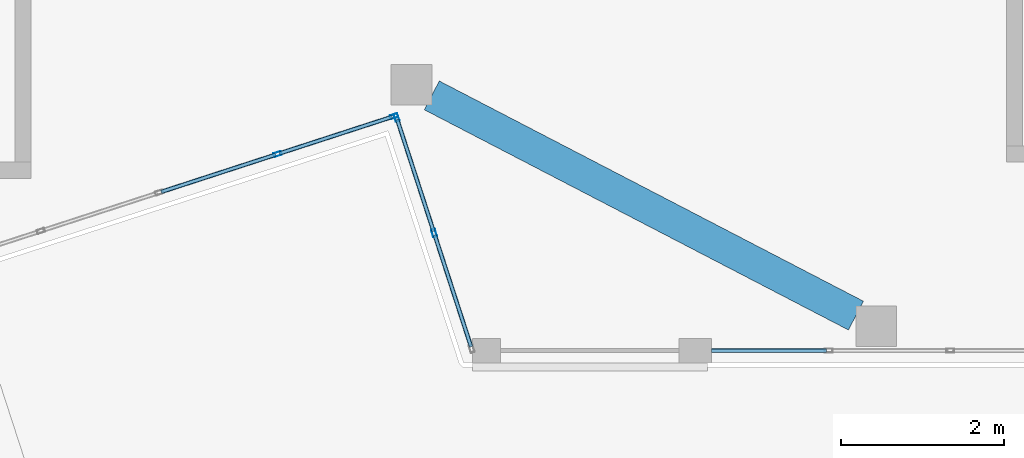
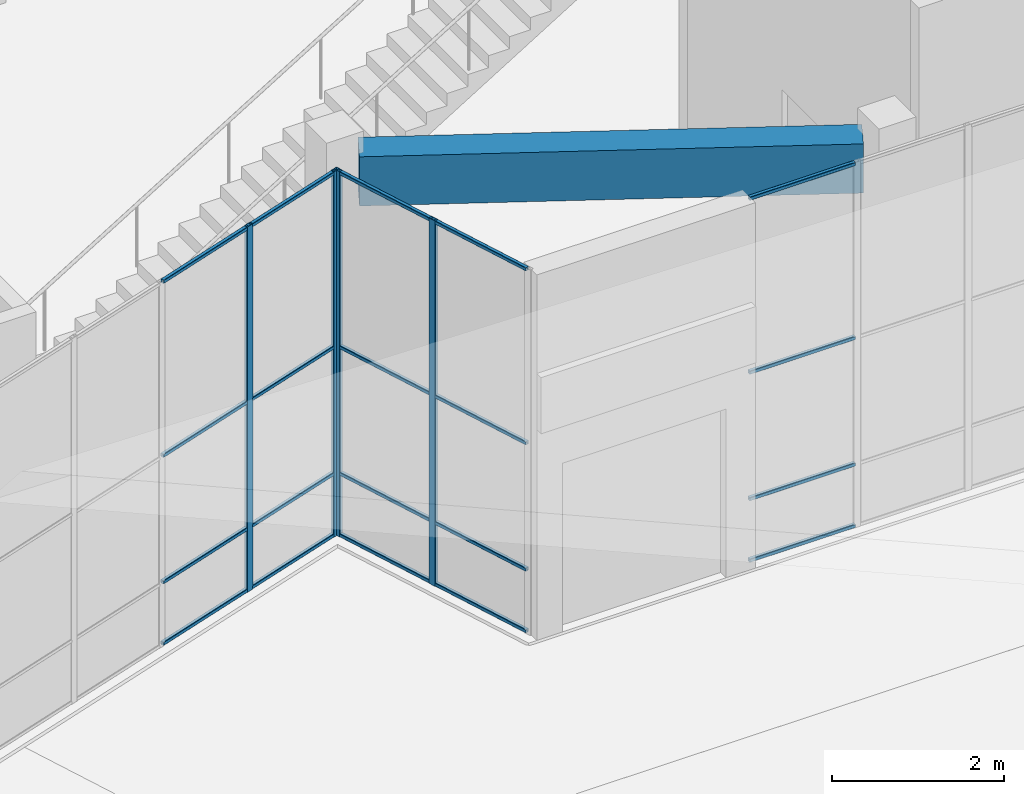
# One storey, part 10 of 72: 24 members, 1 beam, 3 elements without a shape of their own.
"""IFC4 building model written with IfcOpenShell, lengths in metres."""

from ifc_helpers import new_model, si_unit, direction, frame, origin, origin_2d, place, context, subcontext, project, spatial, rectangle, hollow_rectangle, extrude, material, layer, layer_set, material_profile, profile_set, type_object, element, aggregate, save


model = new_model("IFC4")

# Units and contexts
model_context = context("Model", 3, precision=1e-05, world=origin(), true_north=direction((0.0, 1.0)))
body_context = subcontext(model_context, "Body", "Model", "MODEL_VIEW")
ifc_project = project(units=[si_unit("LENGTHUNIT", "METRE"), si_unit("AREAUNIT", "SQUARE_METRE"), si_unit("VOLUMEUNIT", "CUBIC_METRE"), si_unit("PLANEANGLEUNIT", "RADIAN"), si_unit("MASSUNIT", "GRAM", prefix="KILO")], contexts=[model_context])

# Site, building, storey
site_placement = place(None, origin())
site = spatial("IfcSite", under=ifc_project, at=site_placement, CompositionType="ELEMENT")
building_placement = place(site_placement, origin())
building = spatial("IfcBuilding", under=site, at=building_placement, Name="Tuart Plaza Theatre", CompositionType="ELEMENT")
storey_placement = place(building_placement, origin())
storey = spatial("IfcBuildingStorey", under=building, at=storey_placement, Name="L00", CompositionType="ELEMENT", Elevation=0.0)

# Beam
ifc_material_1 = material(Name="Concrete N40 (40 MPa)", Category="concrete")
ifc_material_profile_1 = material_profile(ifc_material_1, rectangle(XDim=0.39990234375, YDim=0.699951171875, at=origin_2d()), Name="BEAM 400x700 Concrete N40 (40 MPa)")
ifc_profile_set_1 = profile_set([ifc_material_profile_1], Name="Concrete N40 (40 MPa)")
beam_type = type_object("IfcBeamType", Name="BEAM 400x700 Concrete N40 (40 MPa)", PredefinedType="BEAM", material=ifc_profile_set_1)
beam_placement = place(storey_placement, frame((99.949951171875, 41.909912109375, 4.85009765625), z_axis=(-0.887507502734, 0.46079326448, 0.0), x_axis=(-0.46079326448, -0.887507502734, 0.0)))
element("IfcBeam", 1, at=beam_placement, inside=storey, type_object=beam_type, Name="RB448", PredefinedType="BEAM", context=body_context, shape_type="SweptSolid", body=[
    extrude(rectangle(XDim=0.39990234375, YDim=0.699951171875, at=origin_2d()), origin(), (0.0, 0.0, 1.0), 5.881591796875),
])

# Curtain wall, members
ifc_material_2 = material(Name="Aluminium and glass", Category="aluminium")
ifc_layer = layer(ifc_material_2, 0.10009765625)
ifc_layer_set = layer_set([ifc_layer], Name="CURTAIN WALL 1500 module")
curtain_wall_type = type_object("IfcCurtainWallType", Name="CURTAIN WALL 1500 module", PredefinedType="NOTDEFINED", material=ifc_layer_set)
curtain_wall_1_placement = place(storey_placement, origin())
curtain_wall_1 = element("IfcCurtainWall", 2, at=curtain_wall_1_placement, inside=storey, type_object=curtain_wall_type, Name="CW4", PredefinedType="NOTDEFINED")
ifc_material_3 = material(Name="Aluminium 6063-T5", Category="aluminium")
ifc_material_profile_2 = material_profile(ifc_material_3, hollow_rectangle(XDim=0.050048828125, YDim=0.10009765625, WallThickness=0.00390625, InnerFilletRadius=0.00390625, OuterFilletRadius=0.008056640625, at=origin_2d()), Name="RHS 100x50x4")
ifc_profile_set_2 = profile_set([ifc_material_profile_2], Name="Aluminium 6063-T5")
member_type_1 = type_object("IfcMemberType", Name="MULLION RHS 100x50x4", PredefinedType="MULLION", material=ifc_profile_set_2)
member_1_placement = place(storey_placement, frame((92.832763671875, 43.897705078125, 0.0), z_axis=(0.0, 0.0, 1.0), x_axis=(-0.309018232632, 0.95105611396, 0.0)))
member_1 = element("IfcMember", 3, at=member_1_placement, type_object=member_type_1, Name="CW4 mullion 4", PredefinedType="MULLION", context=body_context, shape_type="SweptSolid", body=[
    extrude(hollow_rectangle(XDim=0.050048828125, YDim=0.10009765625, WallThickness=0.00390625, InnerFilletRadius=0.00390625, OuterFilletRadius=0.008056640625, at=origin_2d()), origin(), (0.0, 0.0, 1.0), 5.199951171875),
])
member_2_placement = place(storey_placement, frame((94.265625, 44.36328125, 0.0), z_axis=(0.0, 0.0, 1.0), x_axis=(-0.309018232632, 0.95105611396, 0.0)))
member_2 = element("IfcMember", 4, at=member_2_placement, type_object=member_type_1, Name="CW4 mullion 5", PredefinedType="MULLION", context=body_context, shape_type="SweptSolid", body=[
    extrude(hollow_rectangle(XDim=0.050048828125, YDim=0.10009765625, WallThickness=0.00390625, InnerFilletRadius=0.00390625, OuterFilletRadius=0.008056640625, at=origin_2d()), origin(), (0.0, 0.0, 1.0), 5.199951171875),
])

curtain_wall_2_placement = place(storey_placement, origin())
curtain_wall_2 = element("IfcCurtainWall", 5, at=curtain_wall_2_placement, inside=storey, type_object=curtain_wall_type, Name="CW5", PredefinedType="NOTDEFINED")
member_3_placement = place(storey_placement, frame((94.297119140625, 44.34716796875, 0.0), z_axis=(0.0, 0.0, 1.0), x_axis=(0.951056113949, 0.309018232665, 0.0)))
member_3 = element("IfcMember", 6, at=member_3_placement, type_object=member_type_1, Name="CW5 mullion 1", PredefinedType="MULLION", context=body_context, shape_type="SweptSolid", body=[
    extrude(hollow_rectangle(XDim=0.050048828125, YDim=0.10009765625, WallThickness=0.00390625, InnerFilletRadius=0.00390625, OuterFilletRadius=0.008056640625, at=origin_2d()), origin(), (0.0, 0.0, 1.0), 5.199951171875),
])
member_4_placement = place(storey_placement, frame((94.759033203125, 42.925048828125, 0.0), z_axis=(0.0, 0.0, 1.0), x_axis=(0.951056113949, 0.309018232665, 0.0)))
member_4 = element("IfcMember", 7, at=member_4_placement, type_object=member_type_1, Name="CW5 mullion 2", PredefinedType="MULLION", context=body_context, shape_type="SweptSolid", body=[
    extrude(hollow_rectangle(XDim=0.050048828125, YDim=0.10009765625, WallThickness=0.00390625, InnerFilletRadius=0.00390625, OuterFilletRadius=0.008056640625, at=origin_2d()), origin(), (0.0, 0.0, 1.0), 5.199951171875),
])

# Member
ifc_material_4 = material(Name="Aluminium 6063-T5", Category="aluminium")
ifc_material_profile_3 = material_profile(ifc_material_4, hollow_rectangle(XDim=0.050048828125, YDim=0.050048828125, WallThickness=0.00390625, InnerFilletRadius=0.00390625, OuterFilletRadius=0.008056640625, at=origin_2d()), Name="RHS 50x50x4")
ifc_profile_set_3 = profile_set([ifc_material_profile_3], Name="Aluminium 6063-T5")
member_type_2 = type_object("IfcMemberType", Name="TRANSOM RHS 50x50x4", PredefinedType="USERDEFINED", material=ifc_profile_set_3)
member_5_placement = place(storey_placement, frame((91.400146484375, 43.43212890625, 0.02490234375), z_axis=(0.951013479291, 0.309149417285, 0.0), x_axis=(-0.309149417285, 0.951013479291, 0.0)))
member_5 = element("IfcMember", 8, at=member_5_placement, type_object=member_type_2, Name="CW4 transom 3.1", ObjectType="TRANSOM", PredefinedType="USERDEFINED", context=body_context, shape_type="SweptSolid", body=[
    extrude(hollow_rectangle(XDim=0.050048828125, YDim=0.050048828125, WallThickness=0.00390625, InnerFilletRadius=0.00390625, OuterFilletRadius=0.008056640625, at=origin_2d()), origin(), (0.0, 0.0, 1.0), 1.4814453125),
])

member_6_placement = place(storey_placement, frame((91.400146484375, 43.43212890625, 0.89990234375), z_axis=(0.951013479291, 0.309149417285, 0.0), x_axis=(-0.309149417285, 0.951013479291, 0.0)))
member_6 = element("IfcMember", 9, at=member_6_placement, type_object=member_type_2, Name="CW4 transom 3.2", ObjectType="TRANSOM", PredefinedType="USERDEFINED", context=body_context, shape_type="SweptSolid", body=[
    extrude(hollow_rectangle(XDim=0.050048828125, YDim=0.050048828125, WallThickness=0.00390625, InnerFilletRadius=0.00390625, OuterFilletRadius=0.008056640625, at=origin_2d()), origin(), (0.0, 0.0, 1.0), 1.4814453125),
])

member_7_placement = place(storey_placement, frame((91.400146484375, 43.43212890625, 2.699951171875), z_axis=(0.951013479291, 0.309149417285, 0.0), x_axis=(-0.309149417285, 0.951013479291, 0.0)))
member_7 = element("IfcMember", 10, at=member_7_placement, type_object=member_type_2, Name="CW4 transom 3.3", ObjectType="TRANSOM", PredefinedType="USERDEFINED", context=body_context, shape_type="SweptSolid", body=[
    extrude(hollow_rectangle(XDim=0.050048828125, YDim=0.050048828125, WallThickness=0.00390625, InnerFilletRadius=0.00390625, OuterFilletRadius=0.008056640625, at=origin_2d()), origin(), (0.0, 0.0, 1.0), 1.4814453125),
])

member_8_placement = place(storey_placement, frame((91.400146484375, 43.43212890625, 5.175048828125), z_axis=(0.951013479291, 0.309149417285, 0.0), x_axis=(-0.309149417285, 0.951013479291, 0.0)))
member_8 = element("IfcMember", 11, at=member_8_placement, type_object=member_type_2, Name="CW4 transom 3.4", ObjectType="TRANSOM", PredefinedType="USERDEFINED", context=body_context, shape_type="SweptSolid", body=[
    extrude(hollow_rectangle(XDim=0.050048828125, YDim=0.050048828125, WallThickness=0.00390625, InnerFilletRadius=0.00390625, OuterFilletRadius=0.008056640625, at=origin_2d()), origin(), (0.0, 0.0, 1.0), 1.4814453125),
])

member_9_placement = place(storey_placement, frame((92.8564453125, 43.905517578125, 0.02490234375), z_axis=(0.951085791685, 0.308926879463, 0.0), x_axis=(-0.308926879463, 0.951085791685, 0.0)))
member_9 = element("IfcMember", 12, at=member_9_placement, type_object=member_type_2, Name="CW4 transom 4.1", ObjectType="TRANSOM", PredefinedType="USERDEFINED", context=body_context, shape_type="SweptSolid", body=[
    extrude(hollow_rectangle(XDim=0.050048828125, YDim=0.050048828125, WallThickness=0.00390625, InnerFilletRadius=0.00390625, OuterFilletRadius=0.008056640625, at=origin_2d()), origin(), (0.0, 0.0, 1.0), 1.45654296875),
])

member_10_placement = place(storey_placement, frame((92.8564453125, 43.905517578125, 0.89990234375), z_axis=(0.951085791685, 0.308926879463, 0.0), x_axis=(-0.308926879463, 0.951085791685, 0.0)))
member_10 = element("IfcMember", 13, at=member_10_placement, type_object=member_type_2, Name="CW4 transom 4.2", ObjectType="TRANSOM", PredefinedType="USERDEFINED", context=body_context, shape_type="SweptSolid", body=[
    extrude(hollow_rectangle(XDim=0.050048828125, YDim=0.050048828125, WallThickness=0.00390625, InnerFilletRadius=0.00390625, OuterFilletRadius=0.008056640625, at=origin_2d()), origin(), (0.0, 0.0, 1.0), 1.45654296875),
])

member_11_placement = place(storey_placement, frame((92.8564453125, 43.905517578125, 2.699951171875), z_axis=(0.951085791685, 0.308926879463, 0.0), x_axis=(-0.308926879463, 0.951085791685, 0.0)))
member_11 = element("IfcMember", 14, at=member_11_placement, type_object=member_type_2, Name="CW4 transom 4.3", ObjectType="TRANSOM", PredefinedType="USERDEFINED", context=body_context, shape_type="SweptSolid", body=[
    extrude(hollow_rectangle(XDim=0.050048828125, YDim=0.050048828125, WallThickness=0.00390625, InnerFilletRadius=0.00390625, OuterFilletRadius=0.008056640625, at=origin_2d()), origin(), (0.0, 0.0, 1.0), 1.45654296875),
])

member_12_placement = place(storey_placement, frame((92.8564453125, 43.905517578125, 5.175048828125), z_axis=(0.951085791685, 0.308926879463, 0.0), x_axis=(-0.308926879463, 0.951085791685, 0.0)))
member_12 = element("IfcMember", 15, at=member_12_placement, type_object=member_type_2, Name="CW4 transom 4.4", ObjectType="TRANSOM", PredefinedType="USERDEFINED", context=body_context, shape_type="SweptSolid", body=[
    extrude(hollow_rectangle(XDim=0.050048828125, YDim=0.050048828125, WallThickness=0.00390625, InnerFilletRadius=0.00390625, OuterFilletRadius=0.008056640625, at=origin_2d()), origin(), (0.0, 0.0, 1.0), 1.45654296875),
])

aggregate(curtain_wall_1, [member_1, member_2, member_5, member_6, member_7, member_8, member_9, member_10, member_11, member_12])

member_13_placement = place(storey_placement, frame((94.3046875, 44.323486328125, 0.02490234375), z_axis=(0.309074615454, -0.951037792142, 0.0), x_axis=(0.951037792142, 0.309074615454, 0.0)))
member_13 = element("IfcMember", 16, at=member_13_placement, type_object=member_type_2, Name="CW5 transom 1.1", ObjectType="TRANSOM", PredefinedType="USERDEFINED", context=body_context, shape_type="SweptSolid", body=[
    extrude(hollow_rectangle(XDim=0.050048828125, YDim=0.050048828125, WallThickness=0.00390625, InnerFilletRadius=0.00390625, OuterFilletRadius=0.008056640625, at=origin_2d()), origin(), (0.0, 0.0, 1.0), 1.445556640625),
])

member_14_placement = place(storey_placement, frame((94.3046875, 44.323486328125, 0.89990234375), z_axis=(0.309074615454, -0.951037792142, 0.0), x_axis=(0.951037792142, 0.309074615454, 0.0)))
member_14 = element("IfcMember", 17, at=member_14_placement, type_object=member_type_2, Name="CW5 transom 1.2", ObjectType="TRANSOM", PredefinedType="USERDEFINED", context=body_context, shape_type="SweptSolid", body=[
    extrude(hollow_rectangle(XDim=0.050048828125, YDim=0.050048828125, WallThickness=0.00390625, InnerFilletRadius=0.00390625, OuterFilletRadius=0.008056640625, at=origin_2d()), origin(), (0.0, 0.0, 1.0), 1.445556640625),
])

member_15_placement = place(storey_placement, frame((94.3046875, 44.323486328125, 2.699951171875), z_axis=(0.309074615454, -0.951037792142, 0.0), x_axis=(0.951037792142, 0.309074615454, 0.0)))
member_15 = element("IfcMember", 18, at=member_15_placement, type_object=member_type_2, Name="CW5 transom 1.3", ObjectType="TRANSOM", PredefinedType="USERDEFINED", context=body_context, shape_type="SweptSolid", body=[
    extrude(hollow_rectangle(XDim=0.050048828125, YDim=0.050048828125, WallThickness=0.00390625, InnerFilletRadius=0.00390625, OuterFilletRadius=0.008056640625, at=origin_2d()), origin(), (0.0, 0.0, 1.0), 1.445556640625),
])

member_16_placement = place(storey_placement, frame((94.3046875, 44.323486328125, 5.175048828125), z_axis=(0.309074615454, -0.951037792142, 0.0), x_axis=(0.951037792142, 0.309074615454, 0.0)))
member_16 = element("IfcMember", 19, at=member_16_placement, type_object=member_type_2, Name="CW5 transom 1.4", ObjectType="TRANSOM", PredefinedType="USERDEFINED", context=body_context, shape_type="SweptSolid", body=[
    extrude(hollow_rectangle(XDim=0.050048828125, YDim=0.050048828125, WallThickness=0.00390625, InnerFilletRadius=0.00390625, OuterFilletRadius=0.008056640625, at=origin_2d()), origin(), (0.0, 0.0, 1.0), 1.445556640625),
])

member_17_placement = place(storey_placement, frame((94.766845703125, 42.901123046875, 0.02490234375), z_axis=(0.309124267762, -0.95102165437, 0.0), x_axis=(0.95102165437, 0.309124267762, 0.0)))
member_17 = element("IfcMember", 20, at=member_17_placement, type_object=member_type_2, Name="CW5 transom 2.1", ObjectType="TRANSOM", PredefinedType="USERDEFINED", context=body_context, shape_type="SweptSolid", body=[
    extrude(hollow_rectangle(XDim=0.050048828125, YDim=0.050048828125, WallThickness=0.00390625, InnerFilletRadius=0.00390625, OuterFilletRadius=0.008056640625, at=origin_2d()), origin(), (0.0, 0.0, 1.0), 1.4453125),
])

member_18_placement = place(storey_placement, frame((94.766845703125, 42.901123046875, 0.89990234375), z_axis=(0.309124267762, -0.95102165437, 0.0), x_axis=(0.95102165437, 0.309124267762, 0.0)))
member_18 = element("IfcMember", 21, at=member_18_placement, type_object=member_type_2, Name="CW5 transom 2.2", ObjectType="TRANSOM", PredefinedType="USERDEFINED", context=body_context, shape_type="SweptSolid", body=[
    extrude(hollow_rectangle(XDim=0.050048828125, YDim=0.050048828125, WallThickness=0.00390625, InnerFilletRadius=0.00390625, OuterFilletRadius=0.008056640625, at=origin_2d()), origin(), (0.0, 0.0, 1.0), 1.4453125),
])

member_19_placement = place(storey_placement, frame((94.766845703125, 42.901123046875, 2.699951171875), z_axis=(0.309124267762, -0.95102165437, 0.0), x_axis=(0.95102165437, 0.309124267762, 0.0)))
member_19 = element("IfcMember", 22, at=member_19_placement, type_object=member_type_2, Name="CW5 transom 2.3", ObjectType="TRANSOM", PredefinedType="USERDEFINED", context=body_context, shape_type="SweptSolid", body=[
    extrude(hollow_rectangle(XDim=0.050048828125, YDim=0.050048828125, WallThickness=0.00390625, InnerFilletRadius=0.00390625, OuterFilletRadius=0.008056640625, at=origin_2d()), origin(), (0.0, 0.0, 1.0), 1.4453125),
])

member_20_placement = place(storey_placement, frame((94.766845703125, 42.901123046875, 5.175048828125), z_axis=(0.309124267762, -0.95102165437, 0.0), x_axis=(0.95102165437, 0.309124267762, 0.0)))
member_20 = element("IfcMember", 23, at=member_20_placement, type_object=member_type_2, Name="CW5 transom 2.4", ObjectType="TRANSOM", PredefinedType="USERDEFINED", context=body_context, shape_type="SweptSolid", body=[
    extrude(hollow_rectangle(XDim=0.050048828125, YDim=0.050048828125, WallThickness=0.00390625, InnerFilletRadius=0.00390625, OuterFilletRadius=0.008056640625, at=origin_2d()), origin(), (0.0, 0.0, 1.0), 1.4453125),
])

aggregate(curtain_wall_2, [member_3, member_4, member_13, member_14, member_15, member_16, member_17, member_18, member_19, member_20])

# Curtain wall, members
curtain_wall_3_placement = place(storey_placement, origin())
curtain_wall_3 = element("IfcCurtainWall", 24, at=curtain_wall_3_placement, inside=storey, type_object=curtain_wall_type, Name="CW6", PredefinedType="NOTDEFINED")
member_21_placement = place(storey_placement, frame((98.169921875, 41.47900390625, 0.02490234375), z_axis=(1.0, 0.0, 0.0), x_axis=(0.0, 1.0, 0.0)))
member_21 = element("IfcMember", 25, at=member_21_placement, type_object=member_type_2, Name="CW6 transom 1.1", ObjectType="TRANSOM", PredefinedType="USERDEFINED", context=body_context, shape_type="SweptSolid", body=[
    extrude(hollow_rectangle(XDim=0.050048828125, YDim=0.050048828125, WallThickness=0.00390625, InnerFilletRadius=0.00390625, OuterFilletRadius=0.008056640625, at=origin_2d()), origin(), (0.0, 0.0, 1.0), 1.42041015625),
])
member_22_placement = place(storey_placement, frame((98.169921875, 41.47900390625, 0.89990234375), z_axis=(1.0, 0.0, 0.0), x_axis=(0.0, 1.0, 0.0)))
member_22 = element("IfcMember", 26, at=member_22_placement, type_object=member_type_2, Name="CW6 transom 1.2", ObjectType="TRANSOM", PredefinedType="USERDEFINED", context=body_context, shape_type="SweptSolid", body=[
    extrude(hollow_rectangle(XDim=0.050048828125, YDim=0.050048828125, WallThickness=0.00390625, InnerFilletRadius=0.00390625, OuterFilletRadius=0.008056640625, at=origin_2d()), origin(), (0.0, 0.0, 1.0), 1.42041015625),
])
member_23_placement = place(storey_placement, frame((98.169921875, 41.47900390625, 2.699951171875), z_axis=(1.0, 0.0, 0.0), x_axis=(0.0, 1.0, 0.0)))
member_23 = element("IfcMember", 27, at=member_23_placement, type_object=member_type_2, Name="CW6 transom 1.3", ObjectType="TRANSOM", PredefinedType="USERDEFINED", context=body_context, shape_type="SweptSolid", body=[
    extrude(hollow_rectangle(XDim=0.050048828125, YDim=0.050048828125, WallThickness=0.00390625, InnerFilletRadius=0.00390625, OuterFilletRadius=0.008056640625, at=origin_2d()), origin(), (0.0, 0.0, 1.0), 1.42041015625),
])
member_24_placement = place(storey_placement, frame((98.169921875, 41.47900390625, 5.175048828125), z_axis=(1.0, 0.0, 0.0), x_axis=(0.0, 1.0, 0.0)))
member_24 = element("IfcMember", 28, at=member_24_placement, type_object=member_type_2, Name="CW6 transom 1.4", ObjectType="TRANSOM", PredefinedType="USERDEFINED", context=body_context, shape_type="SweptSolid", body=[
    extrude(hollow_rectangle(XDim=0.050048828125, YDim=0.050048828125, WallThickness=0.00390625, InnerFilletRadius=0.00390625, OuterFilletRadius=0.008056640625, at=origin_2d()), origin(), (0.0, 0.0, 1.0), 1.42041015625),
])
aggregate(curtain_wall_3, [member_21, member_22, member_23, member_24])

save(model, "model.ifc")
